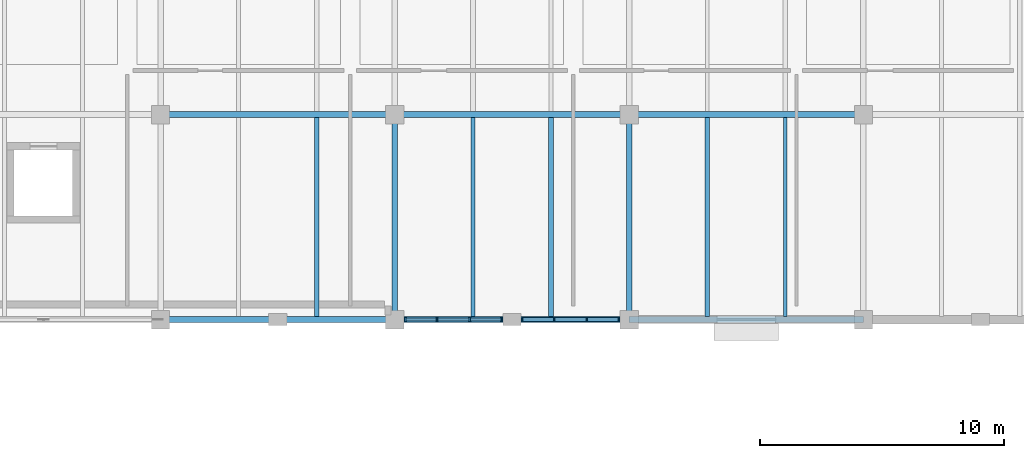
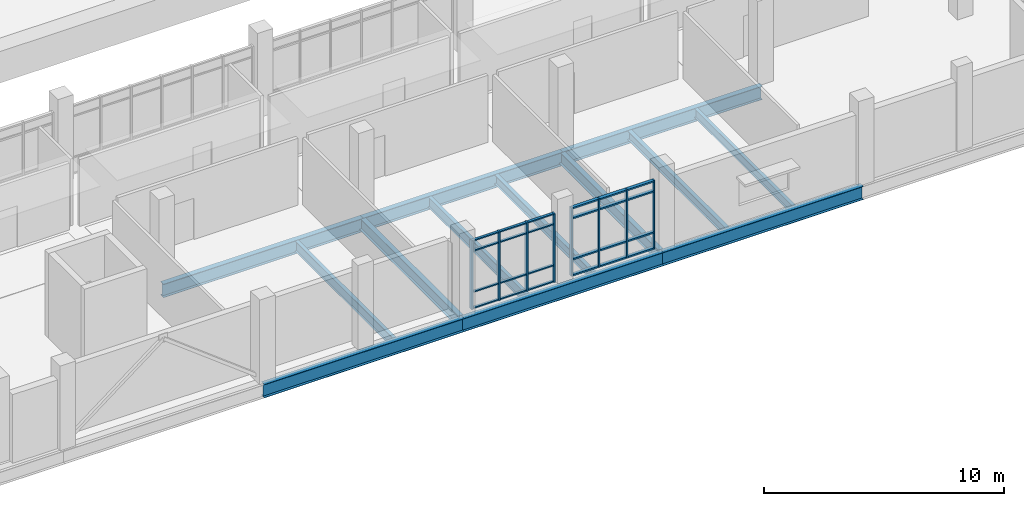
# One storey, part 19 of 86: 32 members, 13 beams, 2 elements without a shape of their own.
"""IFC4 building model written with IfcOpenShell, lengths in metres."""

from ifc_helpers import new_model, si_unit, direction, frame, origin, origin_2d, place, context, subcontext, project, spatial, rectangle, i_section, extrude, material, material_profile, profile_set, type_object, element, aggregate, save


model = new_model("IFC4")

# Units and contexts
model_context = context("Model", 3, precision=1e-05, world=origin(), true_north=direction((0.0, 1.0)))
body_context = subcontext(model_context, "Body", "Model", "MODEL_VIEW")
ifc_project = project(units=[si_unit("LENGTHUNIT", "METRE"), si_unit("AREAUNIT", "SQUARE_METRE"), si_unit("VOLUMEUNIT", "CUBIC_METRE"), si_unit("PLANEANGLEUNIT", "RADIAN"), si_unit("MASSUNIT", "GRAM", prefix="KILO")], contexts=[model_context])

# Site, building, storey
site_placement = place(None, origin())
site = spatial("IfcSite", under=ifc_project, at=site_placement, CompositionType="ELEMENT")
building_placement = place(site_placement, origin())
building = spatial("IfcBuilding", under=site, at=building_placement, Name="Oolite Switchyard Hospital", CompositionType="ELEMENT")
storey_placement = place(building_placement, frame((0.0, 0.0, 13.5)))
storey = spatial("IfcBuildingStorey", under=building, at=storey_placement, Name="L03", CompositionType="ELEMENT", Elevation=13.5)

# Beams
ifc_material_1 = material(Name="Steel ASTM A992 Grade 50", Category="steel")
ifc_material_profile_1 = material_profile(ifc_material_1, i_section(OverallWidth=0.153076171875, OverallDepth=0.455078125, WebThickness=0.008056640625, FlangeThickness=0.012939453125, at=origin_2d()), Name="W18X40")
ifc_profile_set_1 = profile_set([ifc_material_profile_1], Name="Steel ASTM A992 Grade 50")
beam_type_1 = type_object("IfcBeamType", Name="BM-W18X40", PredefinedType="JOIST", material=ifc_profile_set_1)
beam_1_placement = place(storey_placement, frame((188.800048828125, 8.527099609375, -0.501953125), z_axis=(0.0, 1.0, 0.0), x_axis=(-1.0, 0.0, 0.0)))
element("IfcBeam", 1, at=beam_1_placement, inside=storey, type_object=beam_type_1, Name="L03 Secondary Steel Joist 2695", PredefinedType="JOIST", context=body_context, shape_type="SweptSolid", body=[
    extrude(i_section(OverallWidth=0.153076171875, OverallDepth=0.455078125, WebThickness=0.008056640625, FlangeThickness=0.012939453125, at=origin_2d()), origin(), (0.0, 0.0, 1.0), 8.14599609375),
])
ifc_material_profile_2 = material_profile(ifc_material_1, i_section(OverallWidth=0.19091796875, OverallDepth=0.4599609375, WebThickness=0.010009765625, FlangeThickness=0.01611328125, at=origin_2d()), Name="W18X55")
ifc_profile_set_2 = profile_set([ifc_material_profile_2], Name="Steel ASTM A992 Grade 50")
beam_type_2 = type_object("IfcBeamType", Name="BM-W18X55", PredefinedType="JOIST", material=ifc_profile_set_2)
for number, where, z_axis, x_axis, name in (
    (2, (179.199951171875, 8.527099609375, -0.5048828125), (0.0, 1.0, 0.0), (-1.0, 0.0, 0.0), "L03 Secondary Steel Joist 2679"),
    (3, (185.60009765625, 8.527099609375, -0.5048828125), (0.0, 1.0, 0.0), (-1.0, 0.0, 0.0), "L03 Secondary Steel Joist 2694"),
):
    element("IfcBeam", number, at=place(storey_placement, frame(where, z_axis=z_axis, x_axis=x_axis)), inside=storey, type_object=beam_type_2, Name=name, PredefinedType="JOIST", context=body_context, shape_type="SweptSolid", body=[
        extrude(i_section(OverallWidth=0.19091796875, OverallDepth=0.4599609375, WebThickness=0.010009765625, FlangeThickness=0.01611328125, at=origin_2d()), origin(), (0.0, 0.0, 1.0), 8.14599609375),
    ])
ifc_material_profile_3 = material_profile(ifc_material_1, i_section(OverallWidth=0.166015625, OverallDepth=0.529052734375, WebThickness=0.010009765625, FlangeThickness=0.013916015625, at=origin_2d()), Name="W21X50")
ifc_profile_set_3 = profile_set([ifc_material_profile_3], Name="Steel ASTM A992 Grade 50")
beam_type_3 = type_object("IfcBeamType", Name="BM-W21X50", PredefinedType="JOIST", material=ifc_profile_set_3)
for number, where, z_axis, x_axis, name in (
    (4, (169.60009765625, 8.527099609375, -0.5400390625), (0.0, 1.0, 0.0), (-1.0, 0.0, 0.0), "L03 Secondary Steel Joist 2659"),
    (5, (176.0, 8.527099609375, -0.5400390625), (0.0, 1.0, 0.0), (-1.0, 0.0, 0.0), "L03 Secondary Steel Joist 2678"),
):
    element("IfcBeam", number, at=place(storey_placement, frame(where, z_axis=z_axis, x_axis=x_axis)), inside=storey, type_object=beam_type_3, Name=name, PredefinedType="JOIST", context=body_context, shape_type="SweptSolid", body=[
        extrude(i_section(OverallWidth=0.166015625, OverallDepth=0.529052734375, WebThickness=0.010009765625, FlangeThickness=0.013916015625, at=origin_2d()), origin(), (0.0, 0.0, 1.0), 8.14599609375),
    ])
ifc_material_profile_4 = material_profile(ifc_material_1, i_section(OverallWidth=0.22900390625, OverallDepth=0.612060546875, WebThickness=0.011962890625, FlangeThickness=0.02001953125, at=origin_2d()), Name="W24X84")
ifc_profile_set_4 = profile_set([ifc_material_profile_4], Name="Steel ASTM A992 Grade 50")
beam_type_4 = type_object("IfcBeamType", Name="BM-W24X84", PredefinedType="BEAM", material=ifc_profile_set_4)
for number, where, z_axis, x_axis, name in (
    (6, (172.800048828125, 8.39990234375, -0.5810546875), (0.0, 1.0, 0.0), (-1.0, 0.0, 0.0), "L03 Y-Girder 2335"),
    (7, (182.39990234375, 8.39990234375, -0.5810546875), (0.0, 1.0, 0.0), (-1.0, 0.0, 0.0), "L03 Y-Girder 2348"),
):
    element("IfcBeam", number, at=place(storey_placement, frame(where, z_axis=z_axis, x_axis=x_axis)), inside=storey, type_object=beam_type_4, Name=name, PredefinedType="BEAM", context=body_context, shape_type="SweptSolid", body=[
        extrude(i_section(OverallWidth=0.22900390625, OverallDepth=0.612060546875, WebThickness=0.011962890625, FlangeThickness=0.02001953125, at=origin_2d()), origin(), (0.0, 0.0, 1.0), 8.400146484375),
    ])
ifc_material_profile_5 = material_profile(ifc_material_1, i_section(OverallWidth=0.25390625, OverallDepth=0.68408203125, WebThickness=0.011962890625, FlangeThickness=0.01904296875, at=origin_2d()), Name="W27X94")
ifc_profile_set_5 = profile_set([ifc_material_profile_5], Name="Steel ASTM A992 Grade 50")
beam_type_5 = type_object("IfcBeamType", Name="BM-W27X94", PredefinedType="BEAM", material=ifc_profile_set_5)
beam_2_placement = place(storey_placement, frame((163.199951171875, 8.39990234375, -0.616943359375), z_axis=(1.0, 0.0, 0.0), x_axis=(0.0, 1.0, 0.0)))
element("IfcBeam", 8, at=beam_2_placement, inside=storey, type_object=beam_type_5, Name="L03 X-Girder 1929", PredefinedType="BEAM", context=body_context, shape_type="SweptSolid", body=[
    extrude(i_section(OverallWidth=0.25390625, OverallDepth=0.68408203125, WebThickness=0.011962890625, FlangeThickness=0.01904296875, at=origin_2d()), origin(), (0.0, 0.0, 1.0), 9.60009765625),
])
beam_3_placement = place(storey_placement, frame((172.800048828125, 8.39990234375, -0.616943359375), z_axis=(1.0, 0.0, 0.0), x_axis=(0.0, 1.0, 0.0)))
element("IfcBeam", 9, at=beam_3_placement, inside=storey, type_object=beam_type_5, Name="L03 X-Girder 1930", PredefinedType="BEAM", context=body_context, shape_type="SweptSolid", body=[
    extrude(i_section(OverallWidth=0.25390625, OverallDepth=0.68408203125, WebThickness=0.011962890625, FlangeThickness=0.01904296875, at=origin_2d()), origin(), (0.0, 0.0, 1.0), 9.599853515625),
])
for number, where, z_axis, x_axis, name in (
    (10, (182.39990234375, 8.39990234375, -0.616943359375), (1.0, 0.0, 0.0), (0.0, 1.0, 0.0), "L03 X-Girder 1931"),
    (11, (163.199951171875, 16.800048828125, -0.616943359375), (1.0, 0.0, 0.0), (0.0, 1.0, 0.0), "L03 X-Girder 1936"),
):
    element("IfcBeam", number, at=place(storey_placement, frame(where, z_axis=z_axis, x_axis=x_axis)), inside=storey, type_object=beam_type_5, Name=name, PredefinedType="BEAM", context=body_context, shape_type="SweptSolid", body=[
        extrude(i_section(OverallWidth=0.25390625, OverallDepth=0.68408203125, WebThickness=0.011962890625, FlangeThickness=0.01904296875, at=origin_2d()), origin(), (0.0, 0.0, 1.0), 9.60009765625),
    ])
beam_4_placement = place(storey_placement, frame((172.800048828125, 16.800048828125, -0.616943359375), z_axis=(1.0, 0.0, 0.0), x_axis=(0.0, 1.0, 0.0)))
element("IfcBeam", 12, at=beam_4_placement, inside=storey, type_object=beam_type_5, Name="L03 X-Girder 1937", PredefinedType="BEAM", context=body_context, shape_type="SweptSolid", body=[
    extrude(i_section(OverallWidth=0.25390625, OverallDepth=0.68408203125, WebThickness=0.011962890625, FlangeThickness=0.01904296875, at=origin_2d()), origin(), (0.0, 0.0, 1.0), 9.599853515625),
])
beam_5_placement = place(storey_placement, frame((182.39990234375, 16.800048828125, -0.616943359375), z_axis=(1.0, 0.0, 0.0), x_axis=(0.0, 1.0, 0.0)))
element("IfcBeam", 13, at=beam_5_placement, inside=storey, type_object=beam_type_5, Name="L03 X-Girder 1938", PredefinedType="BEAM", context=body_context, shape_type="SweptSolid", body=[
    extrude(i_section(OverallWidth=0.25390625, OverallDepth=0.68408203125, WebThickness=0.011962890625, FlangeThickness=0.01904296875, at=origin_2d()), origin(), (0.0, 0.0, 1.0), 9.60009765625),
])

# Curtain wall, members
ifc_material_2 = material(Name="Thermally broken aluminum frame with laminated impact glazing", Category="aluminium")
curtain_wall_type = type_object("IfcCurtainWallType", Name="CW-UNIT-84X43", PredefinedType="USERDEFINED", material=ifc_material_2)
curtain_wall_1_placement = place(storey_placement, origin())
curtain_wall_1 = element("IfcCurtainWall", 14, at=curtain_wall_1_placement, inside=storey, type_object=curtain_wall_type, Name="L03 Unitised Curtain Wall 327", ObjectType="UNITISED", PredefinedType="USERDEFINED")
ifc_material_3 = material(Name="Aluminium 6063-T6", Category="aluminium")
ifc_material_profile_6 = material_profile(ifc_material_3, rectangle(XDim=0.159912109375, YDim=0.06005859375, at=origin_2d()), Name="CWM60X160")
ifc_profile_set_6 = profile_set([ifc_material_profile_6], Name="Aluminium 6063-T6")
member_type_1 = type_object("IfcMemberType", Name="CW-MUL-180", PredefinedType="MULLION", material=ifc_profile_set_6)
member_1_placement = place(storey_placement, frame((181.97998046875, 8.39990234375, 0.0), z_axis=(0.0, 0.0, 1.0), x_axis=(0.0, -1.0, 0.0)))
member_1 = element("IfcMember", 15, at=member_1_placement, type_object=member_type_1, Name="CW-09 mullion 1", PredefinedType="MULLION", context=body_context, shape_type="SweptSolid", body=[
    extrude(rectangle(XDim=0.159912109375, YDim=0.06005859375, at=origin_2d()), origin(), (0.0, 0.0, 1.0), 3.489990234375),
])
member_2_placement = place(storey_placement, frame((180.669921875, 8.39990234375, 0.0), z_axis=(0.0, 0.0, 1.0), x_axis=(0.0, -1.0, 0.0)))
member_2 = element("IfcMember", 16, at=member_2_placement, type_object=member_type_1, Name="CW-09 mullion 2", PredefinedType="MULLION", context=body_context, shape_type="SweptSolid", body=[
    extrude(rectangle(XDim=0.159912109375, YDim=0.06005859375, at=origin_2d()), origin(), (0.0, 0.0, 1.0), 3.489990234375),
])
member_3_placement = place(storey_placement, frame((179.330078125, 8.39990234375, 0.0), z_axis=(0.0, 0.0, 1.0), x_axis=(0.0, -1.0, 0.0)))
member_3 = element("IfcMember", 17, at=member_3_placement, type_object=member_type_1, Name="CW-09 mullion 3", PredefinedType="MULLION", context=body_context, shape_type="SweptSolid", body=[
    extrude(rectangle(XDim=0.159912109375, YDim=0.06005859375, at=origin_2d()), origin(), (0.0, 0.0, 1.0), 3.489990234375),
])
member_4_placement = place(storey_placement, frame((178.02001953125, 8.39990234375, 0.0), z_axis=(0.0, 0.0, 1.0), x_axis=(0.0, -1.0, 0.0)))
member_4 = element("IfcMember", 18, at=member_4_placement, type_object=member_type_1, Name="CW-09 mullion 4", PredefinedType="MULLION", context=body_context, shape_type="SweptSolid", body=[
    extrude(rectangle(XDim=0.159912109375, YDim=0.06005859375, at=origin_2d()), origin(), (0.0, 0.0, 1.0), 3.489990234375),
])

curtain_wall_2_placement = place(storey_placement, origin())
curtain_wall_2 = element("IfcCurtainWall", 19, at=curtain_wall_2_placement, inside=storey, type_object=curtain_wall_type, Name="L03 Unitised Curtain Wall 328", ObjectType="UNITISED", PredefinedType="USERDEFINED")
ifc_material_profile_7 = material_profile(ifc_material_3, rectangle(XDim=0.179931640625, YDim=0.070068359375, at=origin_2d()), Name="CWM70X180")
ifc_profile_set_7 = profile_set([ifc_material_profile_7], Name="Aluminium 6063-T6")
member_type_2 = type_object("IfcMemberType", Name="CW-MUL-220", PredefinedType="MULLION", material=ifc_profile_set_7)
member_5_placement = place(storey_placement, frame((177.175048828125, 8.39990234375, 0.0), z_axis=(0.0, 0.0, 1.0), x_axis=(0.0, -1.0, 0.0)))
member_5 = element("IfcMember", 20, at=member_5_placement, type_object=member_type_2, Name="CW-09 mullion 1", PredefinedType="MULLION", context=body_context, shape_type="SweptSolid", body=[
    extrude(rectangle(XDim=0.179931640625, YDim=0.070068359375, at=origin_2d()), origin(), (0.0, 0.0, 1.0), 3.489990234375),
])
member_6_placement = place(storey_placement, frame((175.8701171875, 8.39990234375, 0.0), z_axis=(0.0, 0.0, 1.0), x_axis=(0.0, -1.0, 0.0)))
member_6 = element("IfcMember", 21, at=member_6_placement, type_object=member_type_2, Name="CW-09 mullion 2", PredefinedType="MULLION", context=body_context, shape_type="SweptSolid", body=[
    extrude(rectangle(XDim=0.179931640625, YDim=0.070068359375, at=origin_2d()), origin(), (0.0, 0.0, 1.0), 3.489990234375),
])
member_7_placement = place(storey_placement, frame((174.530029296875, 8.39990234375, 0.0), z_axis=(0.0, 0.0, 1.0), x_axis=(0.0, -1.0, 0.0)))
member_7 = element("IfcMember", 22, at=member_7_placement, type_object=member_type_2, Name="CW-09 mullion 3", PredefinedType="MULLION", context=body_context, shape_type="SweptSolid", body=[
    extrude(rectangle(XDim=0.179931640625, YDim=0.070068359375, at=origin_2d()), origin(), (0.0, 0.0, 1.0), 3.489990234375),
])
member_8_placement = place(storey_placement, frame((173.22509765625, 8.39990234375, 0.0), z_axis=(0.0, 0.0, 1.0), x_axis=(0.0, -1.0, 0.0)))
member_8 = element("IfcMember", 23, at=member_8_placement, type_object=member_type_2, Name="CW-09 mullion 4", PredefinedType="MULLION", context=body_context, shape_type="SweptSolid", body=[
    extrude(rectangle(XDim=0.179931640625, YDim=0.070068359375, at=origin_2d()), origin(), (0.0, 0.0, 1.0), 3.489990234375),
])
ifc_material_profile_8 = material_profile(ifc_material_3, rectangle(XDim=0.1201171875, YDim=0.06005859375, at=origin_2d()), Name="CWT60X120")
ifc_profile_set_8 = profile_set([ifc_material_profile_8], Name="Aluminium 6063-T6")
member_type_3 = type_object("IfcMemberType", Name="CW-TRN-150", PredefinedType="USERDEFINED", material=ifc_profile_set_8)
member_9_placement = place(storey_placement, frame((177.139892578125, 8.39990234375, 0.030029296875), z_axis=(-1.0, 0.0, 0.0), x_axis=(0.0, -1.0, 0.0)))
member_9 = element("IfcMember", 24, at=member_9_placement, type_object=member_type_3, Name="CW-09 transom 1.1", ObjectType="TRANSOM", PredefinedType="USERDEFINED", context=body_context, shape_type="SweptSolid", body=[
    extrude(rectangle(XDim=0.1201171875, YDim=0.06005859375, at=origin_2d()), origin(), (0.0, 0.0, 1.0), 1.23486328125),
])
member_10_placement = place(storey_placement, frame((177.139892578125, 8.39990234375, 0.85009765625), z_axis=(-1.0, 0.0, 0.0), x_axis=(0.0, -1.0, 0.0)))
member_10 = element("IfcMember", 25, at=member_10_placement, type_object=member_type_3, Name="CW-09 transom 1.2", ObjectType="TRANSOM", PredefinedType="USERDEFINED", context=body_context, shape_type="SweptSolid", body=[
    extrude(rectangle(XDim=0.1201171875, YDim=0.06005859375, at=origin_2d()), origin(), (0.0, 0.0, 1.0), 1.23486328125),
])
member_11_placement = place(storey_placement, frame((177.139892578125, 8.39990234375, 2.93994140625), z_axis=(-1.0, 0.0, 0.0), x_axis=(0.0, -1.0, 0.0)))
member_11 = element("IfcMember", 26, at=member_11_placement, type_object=member_type_3, Name="CW-09 transom 1.3", ObjectType="TRANSOM", PredefinedType="USERDEFINED", context=body_context, shape_type="SweptSolid", body=[
    extrude(rectangle(XDim=0.1201171875, YDim=0.06005859375, at=origin_2d()), origin(), (0.0, 0.0, 1.0), 1.23486328125),
])
member_12_placement = place(storey_placement, frame((177.139892578125, 8.39990234375, 3.4599609375), z_axis=(-1.0, 0.0, 0.0), x_axis=(0.0, -1.0, 0.0)))
member_12 = element("IfcMember", 27, at=member_12_placement, type_object=member_type_3, Name="CW-09 transom 1.4", ObjectType="TRANSOM", PredefinedType="USERDEFINED", context=body_context, shape_type="SweptSolid", body=[
    extrude(rectangle(XDim=0.1201171875, YDim=0.06005859375, at=origin_2d()), origin(), (0.0, 0.0, 1.0), 1.23486328125),
])
member_13_placement = place(storey_placement, frame((175.8349609375, 8.39990234375, 0.030029296875), z_axis=(-1.0, 0.0, 0.0), x_axis=(0.0, -1.0, 0.0)))
member_13 = element("IfcMember", 28, at=member_13_placement, type_object=member_type_3, Name="CW-09 transom 2.1", ObjectType="TRANSOM", PredefinedType="USERDEFINED", context=body_context, shape_type="SweptSolid", body=[
    extrude(rectangle(XDim=0.1201171875, YDim=0.06005859375, at=origin_2d()), origin(), (0.0, 0.0, 1.0), 1.27001953125),
])
member_14_placement = place(storey_placement, frame((175.8349609375, 8.39990234375, 0.85009765625), z_axis=(-1.0, 0.0, 0.0), x_axis=(0.0, -1.0, 0.0)))
member_14 = element("IfcMember", 29, at=member_14_placement, type_object=member_type_3, Name="CW-09 transom 2.2", ObjectType="TRANSOM", PredefinedType="USERDEFINED", context=body_context, shape_type="SweptSolid", body=[
    extrude(rectangle(XDim=0.1201171875, YDim=0.06005859375, at=origin_2d()), origin(), (0.0, 0.0, 1.0), 1.27001953125),
])
member_15_placement = place(storey_placement, frame((175.8349609375, 8.39990234375, 2.93994140625), z_axis=(-1.0, 0.0, 0.0), x_axis=(0.0, -1.0, 0.0)))
member_15 = element("IfcMember", 30, at=member_15_placement, type_object=member_type_3, Name="CW-09 transom 2.3", ObjectType="TRANSOM", PredefinedType="USERDEFINED", context=body_context, shape_type="SweptSolid", body=[
    extrude(rectangle(XDim=0.1201171875, YDim=0.06005859375, at=origin_2d()), origin(), (0.0, 0.0, 1.0), 1.27001953125),
])
member_16_placement = place(storey_placement, frame((175.8349609375, 8.39990234375, 3.4599609375), z_axis=(-1.0, 0.0, 0.0), x_axis=(0.0, -1.0, 0.0)))
member_16 = element("IfcMember", 31, at=member_16_placement, type_object=member_type_3, Name="CW-09 transom 2.4", ObjectType="TRANSOM", PredefinedType="USERDEFINED", context=body_context, shape_type="SweptSolid", body=[
    extrude(rectangle(XDim=0.1201171875, YDim=0.06005859375, at=origin_2d()), origin(), (0.0, 0.0, 1.0), 1.27001953125),
])
member_17_placement = place(storey_placement, frame((174.4951171875, 8.39990234375, 0.030029296875), z_axis=(-1.0, 0.0, 0.0), x_axis=(0.0, -1.0, 0.0)))
member_17 = element("IfcMember", 32, at=member_17_placement, type_object=member_type_3, Name="CW-09 transom 3.1", ObjectType="TRANSOM", PredefinedType="USERDEFINED", context=body_context, shape_type="SweptSolid", body=[
    extrude(rectangle(XDim=0.1201171875, YDim=0.06005859375, at=origin_2d()), origin(), (0.0, 0.0, 1.0), 1.235107421875),
])
member_18_placement = place(storey_placement, frame((174.4951171875, 8.39990234375, 0.85009765625), z_axis=(-1.0, 0.0, 0.0), x_axis=(0.0, -1.0, 0.0)))
member_18 = element("IfcMember", 33, at=member_18_placement, type_object=member_type_3, Name="CW-09 transom 3.2", ObjectType="TRANSOM", PredefinedType="USERDEFINED", context=body_context, shape_type="SweptSolid", body=[
    extrude(rectangle(XDim=0.1201171875, YDim=0.06005859375, at=origin_2d()), origin(), (0.0, 0.0, 1.0), 1.235107421875),
])
member_19_placement = place(storey_placement, frame((174.4951171875, 8.39990234375, 2.93994140625), z_axis=(-1.0, 0.0, 0.0), x_axis=(0.0, -1.0, 0.0)))
member_19 = element("IfcMember", 34, at=member_19_placement, type_object=member_type_3, Name="CW-09 transom 3.3", ObjectType="TRANSOM", PredefinedType="USERDEFINED", context=body_context, shape_type="SweptSolid", body=[
    extrude(rectangle(XDim=0.1201171875, YDim=0.06005859375, at=origin_2d()), origin(), (0.0, 0.0, 1.0), 1.235107421875),
])
member_20_placement = place(storey_placement, frame((174.4951171875, 8.39990234375, 3.4599609375), z_axis=(-1.0, 0.0, 0.0), x_axis=(0.0, -1.0, 0.0)))
member_20 = element("IfcMember", 35, at=member_20_placement, type_object=member_type_3, Name="CW-09 transom 3.4", ObjectType="TRANSOM", PredefinedType="USERDEFINED", context=body_context, shape_type="SweptSolid", body=[
    extrude(rectangle(XDim=0.1201171875, YDim=0.06005859375, at=origin_2d()), origin(), (0.0, 0.0, 1.0), 1.235107421875),
])
aggregate(curtain_wall_2, [member_5, member_6, member_7, member_8, member_9, member_10, member_11, member_12, member_13, member_14, member_15, member_16, member_17, member_18, member_19, member_20])

# Member
ifc_material_profile_9 = material_profile(ifc_material_3, rectangle(XDim=0.159912109375, YDim=0.074951171875, at=origin_2d()), Name="CWT75X160")
ifc_profile_set_9 = profile_set([ifc_material_profile_9], Name="Aluminium 6063-T6")
member_type_4 = type_object("IfcMemberType", Name="CW-TRN-180", PredefinedType="USERDEFINED", material=ifc_profile_set_9)
member_21_placement = place(storey_placement, frame((181.949951171875, 8.39990234375, 0.03759765625), z_axis=(-1.0, 0.0, 0.0), x_axis=(0.0, -1.0, 0.0)))
member_21 = element("IfcMember", 36, at=member_21_placement, type_object=member_type_4, Name="CW-09 transom 1.1", ObjectType="TRANSOM", PredefinedType="USERDEFINED", context=body_context, shape_type="SweptSolid", body=[
    extrude(rectangle(XDim=0.159912109375, YDim=0.074951171875, at=origin_2d()), origin(), (0.0, 0.0, 1.0), 1.25),
])

member_22_placement = place(storey_placement, frame((181.949951171875, 8.39990234375, 0.85009765625), z_axis=(-1.0, 0.0, 0.0), x_axis=(0.0, -1.0, 0.0)))
member_22 = element("IfcMember", 37, at=member_22_placement, type_object=member_type_4, Name="CW-09 transom 1.2", ObjectType="TRANSOM", PredefinedType="USERDEFINED", context=body_context, shape_type="SweptSolid", body=[
    extrude(rectangle(XDim=0.159912109375, YDim=0.074951171875, at=origin_2d()), origin(), (0.0, 0.0, 1.0), 1.25),
])

member_23_placement = place(storey_placement, frame((181.949951171875, 8.39990234375, 2.93994140625), z_axis=(-1.0, 0.0, 0.0), x_axis=(0.0, -1.0, 0.0)))
member_23 = element("IfcMember", 38, at=member_23_placement, type_object=member_type_4, Name="CW-09 transom 1.3", ObjectType="TRANSOM", PredefinedType="USERDEFINED", context=body_context, shape_type="SweptSolid", body=[
    extrude(rectangle(XDim=0.159912109375, YDim=0.074951171875, at=origin_2d()), origin(), (0.0, 0.0, 1.0), 1.25),
])

member_24_placement = place(storey_placement, frame((181.949951171875, 8.39990234375, 3.452392578125), z_axis=(-1.0, 0.0, 0.0), x_axis=(0.0, -1.0, 0.0)))
member_24 = element("IfcMember", 39, at=member_24_placement, type_object=member_type_4, Name="CW-09 transom 1.4", ObjectType="TRANSOM", PredefinedType="USERDEFINED", context=body_context, shape_type="SweptSolid", body=[
    extrude(rectangle(XDim=0.159912109375, YDim=0.074951171875, at=origin_2d()), origin(), (0.0, 0.0, 1.0), 1.25),
])

member_25_placement = place(storey_placement, frame((180.639892578125, 8.39990234375, 0.03759765625), z_axis=(-1.0, 0.0, 0.0), x_axis=(0.0, -1.0, 0.0)))
member_25 = element("IfcMember", 40, at=member_25_placement, type_object=member_type_4, Name="CW-09 transom 2.1", ObjectType="TRANSOM", PredefinedType="USERDEFINED", context=body_context, shape_type="SweptSolid", body=[
    extrude(rectangle(XDim=0.159912109375, YDim=0.074951171875, at=origin_2d()), origin(), (0.0, 0.0, 1.0), 1.27978515625),
])

member_26_placement = place(storey_placement, frame((180.639892578125, 8.39990234375, 0.85009765625), z_axis=(-1.0, 0.0, 0.0), x_axis=(0.0, -1.0, 0.0)))
member_26 = element("IfcMember", 41, at=member_26_placement, type_object=member_type_4, Name="CW-09 transom 2.2", ObjectType="TRANSOM", PredefinedType="USERDEFINED", context=body_context, shape_type="SweptSolid", body=[
    extrude(rectangle(XDim=0.159912109375, YDim=0.074951171875, at=origin_2d()), origin(), (0.0, 0.0, 1.0), 1.27978515625),
])

member_27_placement = place(storey_placement, frame((180.639892578125, 8.39990234375, 2.93994140625), z_axis=(-1.0, 0.0, 0.0), x_axis=(0.0, -1.0, 0.0)))
member_27 = element("IfcMember", 42, at=member_27_placement, type_object=member_type_4, Name="CW-09 transom 2.3", ObjectType="TRANSOM", PredefinedType="USERDEFINED", context=body_context, shape_type="SweptSolid", body=[
    extrude(rectangle(XDim=0.159912109375, YDim=0.074951171875, at=origin_2d()), origin(), (0.0, 0.0, 1.0), 1.27978515625),
])

member_28_placement = place(storey_placement, frame((180.639892578125, 8.39990234375, 3.452392578125), z_axis=(-1.0, 0.0, 0.0), x_axis=(0.0, -1.0, 0.0)))
member_28 = element("IfcMember", 43, at=member_28_placement, type_object=member_type_4, Name="CW-09 transom 2.4", ObjectType="TRANSOM", PredefinedType="USERDEFINED", context=body_context, shape_type="SweptSolid", body=[
    extrude(rectangle(XDim=0.159912109375, YDim=0.074951171875, at=origin_2d()), origin(), (0.0, 0.0, 1.0), 1.27978515625),
])

member_29_placement = place(storey_placement, frame((179.300048828125, 8.39990234375, 0.03759765625), z_axis=(-1.0, 0.0, 0.0), x_axis=(0.0, -1.0, 0.0)))
member_29 = element("IfcMember", 44, at=member_29_placement, type_object=member_type_4, Name="CW-09 transom 3.1", ObjectType="TRANSOM", PredefinedType="USERDEFINED", context=body_context, shape_type="SweptSolid", body=[
    extrude(rectangle(XDim=0.159912109375, YDim=0.074951171875, at=origin_2d()), origin(), (0.0, 0.0, 1.0), 1.25),
])

member_30_placement = place(storey_placement, frame((179.300048828125, 8.39990234375, 0.85009765625), z_axis=(-1.0, 0.0, 0.0), x_axis=(0.0, -1.0, 0.0)))
member_30 = element("IfcMember", 45, at=member_30_placement, type_object=member_type_4, Name="CW-09 transom 3.2", ObjectType="TRANSOM", PredefinedType="USERDEFINED", context=body_context, shape_type="SweptSolid", body=[
    extrude(rectangle(XDim=0.159912109375, YDim=0.074951171875, at=origin_2d()), origin(), (0.0, 0.0, 1.0), 1.25),
])

member_31_placement = place(storey_placement, frame((179.300048828125, 8.39990234375, 2.93994140625), z_axis=(-1.0, 0.0, 0.0), x_axis=(0.0, -1.0, 0.0)))
member_31 = element("IfcMember", 46, at=member_31_placement, type_object=member_type_4, Name="CW-09 transom 3.3", ObjectType="TRANSOM", PredefinedType="USERDEFINED", context=body_context, shape_type="SweptSolid", body=[
    extrude(rectangle(XDim=0.159912109375, YDim=0.074951171875, at=origin_2d()), origin(), (0.0, 0.0, 1.0), 1.25),
])

member_32_placement = place(storey_placement, frame((179.300048828125, 8.39990234375, 3.452392578125), z_axis=(-1.0, 0.0, 0.0), x_axis=(0.0, -1.0, 0.0)))
member_32 = element("IfcMember", 47, at=member_32_placement, type_object=member_type_4, Name="CW-09 transom 3.4", ObjectType="TRANSOM", PredefinedType="USERDEFINED", context=body_context, shape_type="SweptSolid", body=[
    extrude(rectangle(XDim=0.159912109375, YDim=0.074951171875, at=origin_2d()), origin(), (0.0, 0.0, 1.0), 1.25),
])

aggregate(curtain_wall_1, [member_1, member_2, member_3, member_4, member_21, member_22, member_23, member_24, member_25, member_26, member_27, member_28, member_29, member_30, member_31, member_32])

save(model, "model.ifc")
